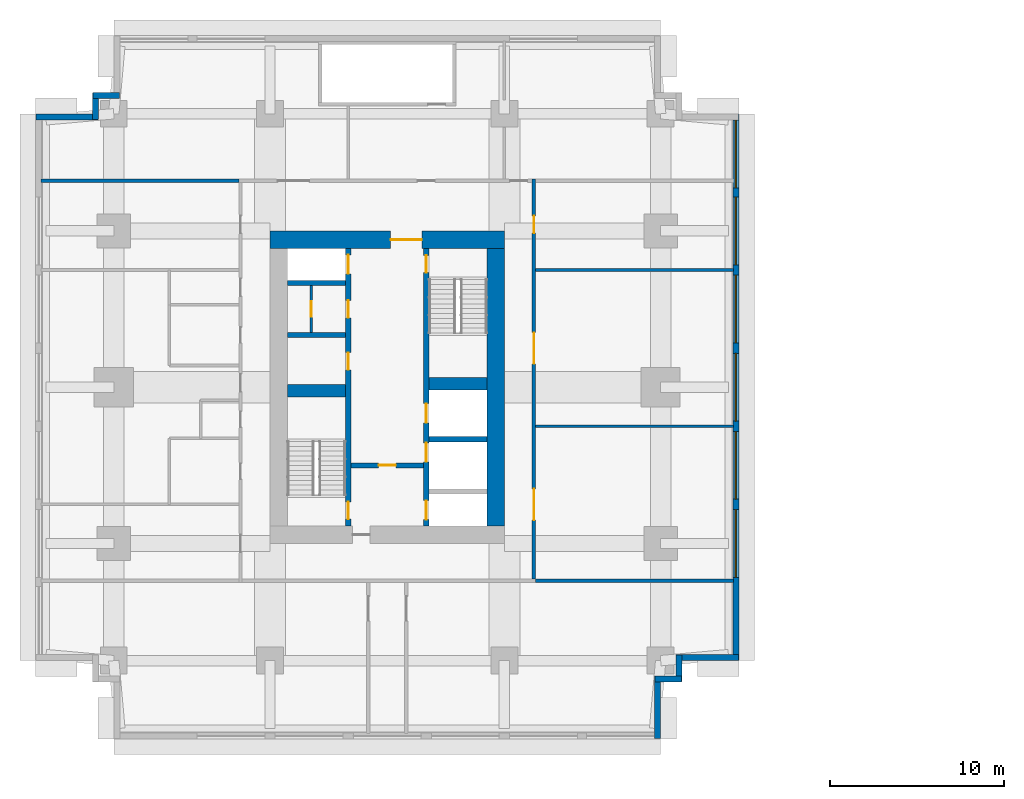
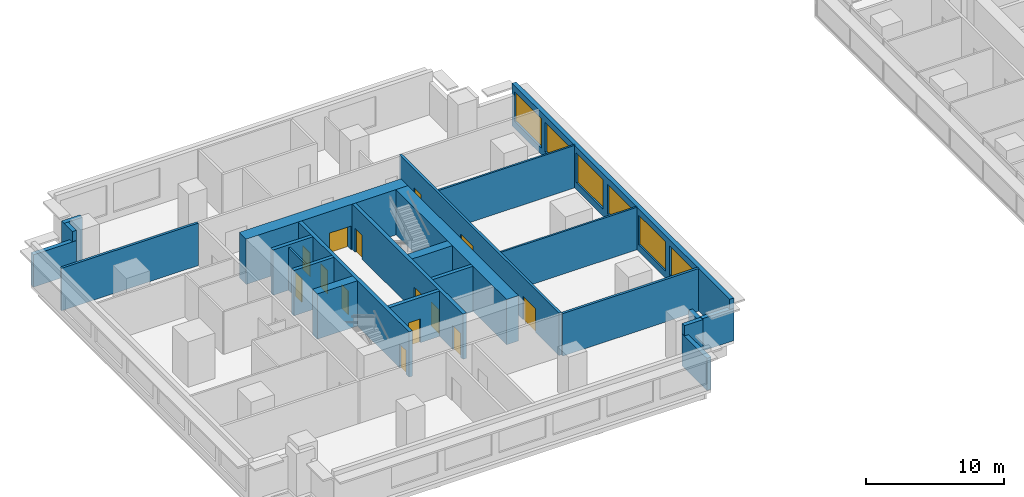
# One storey, part 8 of 14: 24 walls, 14 doors, 6 windows, 20 openings.
"""IFC4 building model written with IfcOpenShell, lengths in metres."""

from ifc_helpers import new_model, si_unit, direction, frame, frame_2d, origin, place, context, subcontext, project, spatial, rectangle, extrude, material, layer, layer_set, type_object, element, fill, save


model = new_model("IFC4")

# Units and contexts
model_context = context("Model", 3, precision=1e-05, world=origin(), true_north=direction((0.0, 1.0)))
body_context = subcontext(model_context, "Body", "Model", "MODEL_VIEW")
ifc_project = project(units=[si_unit("LENGTHUNIT", "METRE"), si_unit("AREAUNIT", "SQUARE_METRE"), si_unit("VOLUMEUNIT", "CUBIC_METRE"), si_unit("PLANEANGLEUNIT", "RADIAN"), si_unit("MASSUNIT", "GRAM", prefix="KILO")], contexts=[model_context])

# Site, building, storey
site_placement = place(None, origin())
site = spatial("IfcSite", under=ifc_project, at=site_placement, CompositionType="ELEMENT")
building_placement = place(site_placement, origin())
building = spatial("IfcBuilding", under=site, at=building_placement, Name="Namib Vertical Campus", CompositionType="ELEMENT")
storey_placement = place(building_placement, frame((0.0, 0.0, 233.0)))
storey = spatial("IfcBuildingStorey", under=building, at=storey_placement, Name="L55", CompositionType="ELEMENT", Elevation=233.0)

# Wall, openings, doors
ifc_material_1 = material(Name="Concrete C60/75", Category="concrete")
ifc_layer_1 = layer(ifc_material_1, 0.300048828125)
ifc_layer_set_1 = layer_set([ifc_layer_1], Name="Concrete C60/75")
wall_type_1 = type_object("IfcWallType", Name="Core inner wall 300", PredefinedType="SHEAR", material=ifc_layer_set_1)
wall_1_placement = place(storey_placement, frame((18.0, 12.25, 0.0), z_axis=(0.0, 0.0, 1.0), x_axis=(0.0, 1.0, 0.0)))
wall_1 = element("IfcWall", 1, at=wall_1_placement, inside=storey, type_object=wall_type_1, Name="Core inner wall A L55 W1", PredefinedType="SHEAR", context=body_context, shape_type="SweptSolid", body=[
    extrude(rectangle(XDim=16.0, YDim=0.300048828125, at=frame_2d((8.0, 0.0))), origin(), (0.0, 0.0, 1.0), 4.0),
])
opening_1_placement = place(wall_1_placement, frame((0.39990234375, 0.0, 0.0)))
opening_1 = element("IfcOpeningElement", 2, at=opening_1_placement, cuts=wall_1, Name="Opening FD1", PredefinedType="OPENING", context=body_context, shape_type="SweptSolid", body=[
    extrude(rectangle(XDim=1.0, YDim=2.10009765625, at=frame_2d((0.5, 1.050048828125))), frame((0.0, 0.159912109375, 0.0), z_axis=(0.0, -1.0, 0.0), x_axis=(1.0, 0.0, 0.0)), (0.0, 0.0, 1.0), 0.320068359375),
])
opening_2_placement = place(wall_1_placement, frame((14.52490234375, 0.0, 0.0)))
opening_2 = element("IfcOpeningElement", 3, at=opening_2_placement, cuts=wall_1, Name="Opening LD1", PredefinedType="OPENING", context=body_context, shape_type="SweptSolid", body=[
    extrude(rectangle(XDim=1.10009765625, YDim=2.10009765625, at=frame_2d((0.550048828125, 1.050048828125))), frame((0.0, 0.159912109375, 0.0), z_axis=(0.0, -1.0, 0.0), x_axis=(1.0, 0.0, 0.0)), (0.0, 0.0, 1.0), 0.320068359375),
])
opening_3_placement = place(wall_1_placement, frame((9.0, 0.0, 0.0)))
opening_3 = element("IfcOpeningElement", 4, at=opening_3_placement, cuts=wall_1, Name="Opening D1", PredefinedType="OPENING", context=body_context, shape_type="SweptSolid", body=[
    extrude(rectangle(XDim=1.0, YDim=2.10009765625, at=frame_2d((0.5, 1.050048828125))), frame((0.0, 0.159912109375, 0.0), z_axis=(0.0, -1.0, 0.0), x_axis=(1.0, 0.0, 0.0)), (0.0, 0.0, 1.0), 0.320068359375),
])
opening_4_placement = place(wall_1_placement, frame((12.0, 0.0, 0.0)))
opening_4 = element("IfcOpeningElement", 5, at=opening_4_placement, cuts=wall_1, Name="Opening D1", PredefinedType="OPENING", context=body_context, shape_type="SweptSolid", body=[
    extrude(rectangle(XDim=1.0, YDim=2.10009765625, at=frame_2d((0.5, 1.050048828125))), frame((0.0, 0.159912109375, 0.0), z_axis=(0.0, -1.0, 0.0), x_axis=(1.0, 0.0, 0.0)), (0.0, 0.0, 1.0), 0.320068359375),
])
ifc_material_2 = material(Name="Timber door leaf", Category="wood")
door_type_1 = type_object("IfcDoorType", Name="Door single 1000x2100", OperationType="SINGLE_SWING_LEFT", PredefinedType="DOOR", material=ifc_material_2)
door_1_placement = place(opening_3_placement, origin())
door_1 = element("IfcDoor", 6, at=door_1_placement, inside=storey, type_object=door_type_1, Name="Door D1 Staff pantry A L55 P1", OperationType="SINGLE_SWING_LEFT", OverallHeight=2.10009765625, OverallWidth=1.0, PredefinedType="DOOR", context=body_context, shape_type="SweptSolid", body=[
    extrude(rectangle(XDim=1.0, YDim=2.10009765625, at=frame_2d((0.5, 1.050048828125))), frame((0.0, 0.02490234375, 0.0), z_axis=(0.0, -1.0, 0.0), x_axis=(1.0, 0.0, 0.0)), (0.0, 0.0, 1.0), 0.050048828125),
])
fill(opening_3, door_1)
door_2_placement = place(opening_4_placement, origin())
door_2 = element("IfcDoor", 7, at=door_2_placement, inside=storey, type_object=door_type_1, Name="Door D1 Records store A L55 P2", OperationType="SINGLE_SWING_LEFT", OverallHeight=2.10009765625, OverallWidth=1.0, PredefinedType="DOOR", context=body_context, shape_type="SweptSolid", body=[
    extrude(rectangle(XDim=1.0, YDim=2.10009765625, at=frame_2d((0.5, 1.050048828125))), frame((0.0, 0.02490234375, 0.0), z_axis=(0.0, -1.0, 0.0), x_axis=(1.0, 0.0, 0.0)), (0.0, 0.0, 1.0), 0.050048828125),
])
fill(opening_4, door_2)
ifc_material_3 = material(Name="Steel fire door", Category="steel")
door_type_2 = type_object("IfcDoorType", Name="Fire door 1000x2100", OperationType="SINGLE_SWING_RIGHT", PredefinedType="DOOR", material=ifc_material_3)
door_3_placement = place(opening_1_placement, origin())
door_3 = element("IfcDoor", 8, at=door_3_placement, inside=storey, type_object=door_type_2, Name="Stair door FD1 A L55 S1", OperationType="SINGLE_SWING_LEFT", OverallHeight=2.10009765625, OverallWidth=1.0, PredefinedType="DOOR", context=body_context, shape_type="SweptSolid", body=[
    extrude(rectangle(XDim=1.0, YDim=2.10009765625, at=frame_2d((0.5, 1.050048828125))), frame((0.0, 0.02490234375, 0.0), z_axis=(0.0, -1.0, 0.0), x_axis=(1.0, 0.0, 0.0)), (0.0, 0.0, 1.0), 0.050048828125),
])
fill(opening_1, door_3)
ifc_material_4 = material(Name="Stainless steel lift door", Category="steel")
door_type_3 = type_object("IfcDoorType", Name="Lift landing door 1100x2100", OperationType="DOUBLE_DOOR_SLIDING", PredefinedType="DOOR", material=ifc_material_4)
door_4_placement = place(opening_2_placement, origin())
door_4 = element("IfcDoor", 9, at=door_4_placement, inside=storey, type_object=door_type_3, Name="Lift landing door LD1 A-P3 L55", OperationType="DOUBLE_DOOR_SLIDING", OverallHeight=2.10009765625, OverallWidth=1.10009765625, PredefinedType="DOOR", context=body_context, shape_type="SweptSolid", body=[
    extrude(rectangle(XDim=1.10009765625, YDim=2.10009765625, at=frame_2d((0.550048828125, 1.050048828125))), frame((0.0, 0.02490234375, 0.0), z_axis=(0.0, -1.0, 0.0), x_axis=(1.0, 0.0, 0.0)), (0.0, 0.0, 1.0), 0.050048828125),
])
fill(opening_2, door_4)

wall_2_placement = place(storey_placement, frame((22.5, 12.25, 0.0), z_axis=(0.0, 0.0, 1.0), x_axis=(0.0, 1.0, 0.0)))
wall_2 = element("IfcWall", 10, at=wall_2_placement, inside=storey, type_object=wall_type_1, Name="Core inner wall A L55 W2", PredefinedType="SHEAR", context=body_context, shape_type="SweptSolid", body=[
    extrude(rectangle(XDim=16.0, YDim=0.300048828125, at=frame_2d((8.0, 0.0))), origin(), (0.0, 0.0, 1.0), 4.0),
])
opening_5_placement = place(wall_2_placement, frame((14.60009765625, 0.0, 0.0)))
opening_5 = element("IfcOpeningElement", 11, at=opening_5_placement, cuts=wall_2, Name="Opening FD1", PredefinedType="OPENING", context=body_context, shape_type="SweptSolid", body=[
    extrude(rectangle(XDim=1.0, YDim=2.10009765625, at=frame_2d((0.5, 1.050048828125))), frame((0.0, 0.159912109375, 0.0), z_axis=(0.0, -1.0, 0.0), x_axis=(1.0, 0.0, 0.0)), (0.0, 0.0, 1.0), 0.320068359375),
])
opening_6_placement = place(wall_2_placement, frame((0.375, 0.0, 0.0)))
opening_6 = element("IfcOpeningElement", 12, at=opening_6_placement, cuts=wall_2, Name="Opening LD1", PredefinedType="OPENING", context=body_context, shape_type="SweptSolid", body=[
    extrude(rectangle(XDim=1.10009765625, YDim=2.10009765625, at=frame_2d((0.550048828125, 1.050048828125))), frame((0.0, 0.159912109375, 0.0), z_axis=(0.0, -1.0, 0.0), x_axis=(1.0, 0.0, 0.0)), (0.0, 0.0, 1.0), 0.320068359375),
])
opening_7_placement = place(wall_2_placement, frame((3.699951171875, 0.0, 0.0)))
opening_7 = element("IfcOpeningElement", 13, at=opening_7_placement, cuts=wall_2, Name="Opening LD1", PredefinedType="OPENING", context=body_context, shape_type="SweptSolid", body=[
    extrude(rectangle(XDim=1.10009765625, YDim=2.10009765625, at=frame_2d((0.550048828125, 1.050048828125))), frame((0.0, 0.159912109375, 0.0), z_axis=(0.0, -1.0, 0.0), x_axis=(1.0, 0.0, 0.0)), (0.0, 0.0, 1.0), 0.320068359375),
])
opening_8_placement = place(wall_2_placement, frame((5.949951171875, 0.0, 0.0)))
opening_8 = element("IfcOpeningElement", 14, at=opening_8_placement, cuts=wall_2, Name="Opening LD1", PredefinedType="OPENING", context=body_context, shape_type="SweptSolid", body=[
    extrude(rectangle(XDim=1.10009765625, YDim=2.10009765625, at=frame_2d((0.550048828125, 1.050048828125))), frame((0.0, 0.159912109375, 0.0), z_axis=(0.0, -1.0, 0.0), x_axis=(1.0, 0.0, 0.0)), (0.0, 0.0, 1.0), 0.320068359375),
])
door_5_placement = place(opening_5_placement, frame((1.0, 0.0, 0.0), z_axis=(0.0, 0.0, 1.0), x_axis=(-1.0, 0.0, 0.0)))
door_5 = element("IfcDoor", 15, at=door_5_placement, inside=storey, type_object=door_type_2, Name="Stair door FD1 A L55 S2", OperationType="SINGLE_SWING_LEFT", OverallHeight=2.10009765625, OverallWidth=1.0, PredefinedType="DOOR", context=body_context, shape_type="SweptSolid", body=[
    extrude(rectangle(XDim=1.0, YDim=2.10009765625, at=frame_2d((0.5, 1.050048828125))), frame((0.0, 0.02490234375, 0.0), z_axis=(0.0, -1.0, 0.0), x_axis=(1.0, 0.0, 0.0)), (0.0, 0.0, 1.0), 0.050048828125),
])
fill(opening_5, door_5)
door_6_placement = place(opening_6_placement, origin())
door_6 = element("IfcDoor", 16, at=door_6_placement, inside=storey, type_object=door_type_3, Name="Lift landing door LD1 A-FL1 L55", OperationType="DOUBLE_DOOR_SLIDING", OverallHeight=2.10009765625, OverallWidth=1.10009765625, PredefinedType="DOOR", context=body_context, shape_type="SweptSolid", body=[
    extrude(rectangle(XDim=1.10009765625, YDim=2.10009765625, at=frame_2d((0.550048828125, 1.050048828125))), frame((0.0, 0.02490234375, 0.0), z_axis=(0.0, -1.0, 0.0), x_axis=(1.0, 0.0, 0.0)), (0.0, 0.0, 1.0), 0.050048828125),
])
fill(opening_6, door_6)
door_7_placement = place(opening_7_placement, origin())
door_7 = element("IfcDoor", 17, at=door_7_placement, inside=storey, type_object=door_type_3, Name="Lift landing door LD1 A-P4 L55", OperationType="DOUBLE_DOOR_SLIDING", OverallHeight=2.10009765625, OverallWidth=1.10009765625, PredefinedType="DOOR", context=body_context, shape_type="SweptSolid", body=[
    extrude(rectangle(XDim=1.10009765625, YDim=2.10009765625, at=frame_2d((0.550048828125, 1.050048828125))), frame((0.0, 0.02490234375, 0.0), z_axis=(0.0, -1.0, 0.0), x_axis=(1.0, 0.0, 0.0)), (0.0, 0.0, 1.0), 0.050048828125),
])
fill(opening_7, door_7)
door_8_placement = place(opening_8_placement, origin())
door_8 = element("IfcDoor", 18, at=door_8_placement, inside=storey, type_object=door_type_3, Name="Lift landing door LD1 A-P5 L55", OperationType="DOUBLE_DOOR_SLIDING", OverallHeight=2.10009765625, OverallWidth=1.10009765625, PredefinedType="DOOR", context=body_context, shape_type="SweptSolid", body=[
    extrude(rectangle(XDim=1.10009765625, YDim=2.10009765625, at=frame_2d((0.550048828125, 1.050048828125))), frame((0.0, 0.02490234375, 0.0), z_axis=(0.0, -1.0, 0.0), x_axis=(1.0, 0.0, 0.0)), (0.0, 0.0, 1.0), 0.050048828125),
])
fill(opening_8, door_8)

# Wall, opening, door
wall_3_placement = place(storey_placement, frame((18.14990234375, 15.75, 0.0), z_axis=(0.0, 0.0, 1.0), x_axis=(1.0, 0.0, 0.0)))
wall_3 = element("IfcWall", 19, at=wall_3_placement, inside=storey, type_object=wall_type_1, Name="Core inner wall A L55 W4", PredefinedType="SHEAR", context=body_context, shape_type="SweptSolid", body=[
    extrude(rectangle(XDim=4.2001953125, YDim=0.300048828125, at=frame_2d((2.10009765625, 0.0))), origin(), (0.0, 0.0, 1.0), 4.0),
])
opening_9_placement = place(wall_3_placement, frame((1.60009765625, 0.0, 0.0)))
opening_9 = element("IfcOpeningElement", 20, at=opening_9_placement, cuts=wall_3, Name="Opening FD5", PredefinedType="OPENING", context=body_context, shape_type="SweptSolid", body=[
    extrude(rectangle(XDim=1.0, YDim=2.10009765625, at=frame_2d((0.5, 1.050048828125))), frame((0.0, 0.159912109375, 0.0), z_axis=(0.0, -1.0, 0.0), x_axis=(1.0, 0.0, 0.0)), (0.0, 0.0, 1.0), 0.320068359375),
])
ifc_material_5 = material(Name="Steel fire door", Category="steel")
door_type_4 = type_object("IfcDoorType", Name="Fire door 1000x2100 120 min", OperationType="SINGLE_SWING_RIGHT", PredefinedType="DOOR", material=ifc_material_5)
door_9_placement = place(opening_9_placement, frame((1.0, 0.0, 0.0), z_axis=(0.0, 0.0, 1.0), x_axis=(-1.0, 0.0, 0.0)))
door_9 = element("IfcDoor", 21, at=door_9_placement, inside=storey, type_object=door_type_4, Name="Lobby door FD5 A L55", OperationType="SINGLE_SWING_RIGHT", OverallHeight=2.10009765625, OverallWidth=1.0, PredefinedType="DOOR", context=body_context, shape_type="SweptSolid", body=[
    extrude(rectangle(XDim=1.0, YDim=2.10009765625, at=frame_2d((0.5, 1.050048828125))), frame((0.0, 0.02490234375, 0.0), z_axis=(0.0, -1.0, 0.0), x_axis=(1.0, 0.0, 0.0)), (0.0, 0.0, 1.0), 0.050048828125),
])
fill(opening_9, door_9)

# Walls
for number, where, z_axis, x_axis, name in (
    (22, (22.64990234375, 17.25, 0.0), (0.0, 0.0, 1.0), (1.0, 0.0, 0.0), "Core inner wall A L55 W6"),
    (23, (14.5, 23.25, 0.0), (0.0, 0.0, 1.0), (1.0, 0.0, 0.0), "Core inner wall A L55 W8"),
    (24, (14.5, 26.25, 0.0), (0.0, 0.0, 1.0), (1.0, 0.0, 0.0), "Core inner wall A L55 W9"),
):
    element("IfcWall", number, at=place(storey_placement, frame(where, z_axis=z_axis, x_axis=x_axis)), inside=storey, type_object=wall_type_1, Name=name, PredefinedType="SHEAR", context=body_context, shape_type="SweptSolid", body=[
        extrude(rectangle(XDim=3.35009765625, YDim=0.300048828125, at=frame_2d((1.675048828125, 0.0))), origin(), (0.0, 0.0, 1.0), 4.0),
    ])
ifc_material_6 = material(Name="Concrete C60/75", Category="concrete")
ifc_layer_2 = layer(ifc_material_6, 0.699951171875)
ifc_layer_set_2 = layer_set([ifc_layer_2], Name="Concrete C60/75")
wall_type_2 = type_object("IfcWallType", Name="Core shear wall 700", PredefinedType="SHEAR", material=ifc_layer_set_2)
for number, where, z_axis, x_axis, name in (
    (25, (14.5, 20.050048828125, 0.0), (0.0, 0.0, 1.0), (1.0, 0.0, 0.0), "Core shear wall A L55 W3"),
    (26, (22.64990234375, 20.449951171875, 0.0), (0.0, 0.0, 1.0), (1.0, 0.0, 0.0), "Core shear wall A L55 W7"),
):
    element("IfcWall", number, at=place(storey_placement, frame(where, z_axis=z_axis, x_axis=x_axis)), inside=storey, type_object=wall_type_2, Name=name, PredefinedType="SHEAR", context=body_context, shape_type="SweptSolid", body=[
        extrude(rectangle(XDim=3.35009765625, YDim=0.699951171875, at=frame_2d((1.675048828125, 0.0))), origin(), (0.0, 0.0, 1.0), 4.0),
    ])
ifc_material_7 = material(Name="Concrete C60/75", Category="concrete")
ifc_layer_3 = layer(ifc_material_7, 1.0)
ifc_layer_set_3 = layer_set([ifc_layer_3], Name="Concrete C60/75")
wall_type_3 = type_object("IfcWallType", Name="Core wall 1000", PredefinedType="SHEAR", material=ifc_layer_set_3)
wall_4_placement = place(storey_placement, frame((26.5, 12.25, 0.0), z_axis=(0.0, 0.0, 1.0), x_axis=(0.0, 1.0, 0.0)))
element("IfcWall", 27, at=wall_4_placement, inside=storey, type_object=wall_type_3, Name="Core wall A L55 2", PredefinedType="SHEAR", context=body_context, shape_type="SweptSolid", body=[
    extrude(rectangle(XDim=16.0, YDim=1.0, at=frame_2d((8.0, 0.0))), origin(), (0.0, 0.0, 1.0), 4.0),
])

# Wall, opening, door
wall_5_placement = place(storey_placement, frame((27.0, 28.75, 0.0), z_axis=(0.0, 0.0, 1.0), x_axis=(-1.0, 0.0, 0.0)))
wall_5 = element("IfcWall", 28, at=wall_5_placement, inside=storey, type_object=wall_type_3, Name="Core wall A L55 3", PredefinedType="SHEAR", context=body_context, shape_type="SweptSolid", body=[
    extrude(rectangle(XDim=13.5, YDim=1.0, at=frame_2d((6.75, 0.0))), origin(), (0.0, 0.0, 1.0), 4.0),
])
opening_10_placement = place(wall_5_placement, frame((4.75, 0.0, 0.0)))
opening_10 = element("IfcOpeningElement", 29, at=opening_10_placement, cuts=wall_5, Name="Opening FD2", PredefinedType="OPENING", context=body_context, shape_type="SweptSolid", body=[
    extrude(rectangle(XDim=1.800048828125, YDim=2.10009765625, at=frame_2d((0.89990234375, 1.050048828125))), frame((0.0, 0.510009765625, 0.0), z_axis=(0.0, -1.0, 0.0), x_axis=(1.0, 0.0, 0.0)), (0.0, 0.0, 1.0), 1.02001953125),
])
ifc_material_8 = material(Name="Steel fire door", Category="steel")
door_type_5 = type_object("IfcDoorType", Name="Fire door double 1800x2100", OperationType="DOUBLE_DOOR_SINGLE_SWING", PredefinedType="DOOR", material=ifc_material_8)
door_10_placement = place(opening_10_placement, origin())
door_10 = element("IfcDoor", 30, at=door_10_placement, inside=storey, type_object=door_type_5, Name="Lift lobby door FD2 A L55", OperationType="DOUBLE_DOOR_SINGLE_SWING", OverallHeight=2.10009765625, OverallWidth=1.800048828125, PredefinedType="DOOR", context=body_context, shape_type="SweptSolid", body=[
    extrude(rectangle(XDim=1.800048828125, YDim=2.10009765625, at=frame_2d((0.89990234375, 1.050048828125))), frame((0.0, 0.02490234375, 0.0), z_axis=(0.0, -1.0, 0.0), x_axis=(1.0, 0.0, 0.0)), (0.0, 0.0, 1.0), 0.050048828125),
])
fill(opening_10, door_10)

# Wall, openings, doors
ifc_material_9 = material(Name="Concrete masonry", Category="masonry")
ifc_layer_4 = layer(ifc_material_9, 0.199951171875)
ifc_layer_set_4 = layer_set([ifc_layer_4], Name="Corridor wall 200")
wall_type_4 = type_object("IfcWallType", Name="Corridor wall 200", PredefinedType="SOLIDWALL", material=ifc_layer_set_4)
wall_6_placement = place(storey_placement, frame((28.699951171875, 9.199951171875, 0.0), z_axis=(0.0, 0.0, 1.0), x_axis=(0.0, 1.0, 0.0)))
wall_6 = element("IfcWall", 31, at=wall_6_placement, inside=storey, type_object=wall_type_4, Name="Corridor wall A L55 CE", PredefinedType="SOLIDWALL", context=body_context, shape_type="SweptSolid", body=[
    extrude(rectangle(XDim=23.050048828125, YDim=0.199951171875, at=frame_2d((11.52490234375, 0.0))), origin(), (0.0, 0.0, 1.0), 3.75),
])
opening_11_placement = place(wall_6_placement, frame((3.39990234375, 0.0, 0.0)))
opening_11 = element("IfcOpeningElement", 32, at=opening_11_placement, cuts=wall_6, Name="Opening CD2", PredefinedType="OPENING", context=body_context, shape_type="SweptSolid", body=[
    extrude(rectangle(XDim=1.800048828125, YDim=2.10009765625, at=frame_2d((0.89990234375, 1.050048828125))), frame((0.0, 0.10986328125, 0.0), z_axis=(0.0, -1.0, 0.0), x_axis=(1.0, 0.0, 0.0)), (0.0, 0.0, 1.0), 0.219970703125),
])
opening_12_placement = place(wall_6_placement, frame((12.39990234375, 0.0, 0.0)))
opening_12 = element("IfcOpeningElement", 33, at=opening_12_placement, cuts=wall_6, Name="Opening CD2", PredefinedType="OPENING", context=body_context, shape_type="SweptSolid", body=[
    extrude(rectangle(XDim=1.800048828125, YDim=2.10009765625, at=frame_2d((0.89990234375, 1.050048828125))), frame((0.0, 0.10986328125, 0.0), z_axis=(0.0, -1.0, 0.0), x_axis=(1.0, 0.0, 0.0)), (0.0, 0.0, 1.0), 0.219970703125),
])
opening_13_placement = place(wall_6_placement, frame((19.925048828125, 0.0, 0.0)))
opening_13 = element("IfcOpeningElement", 34, at=opening_13_placement, cuts=wall_6, Name="Opening CD1", PredefinedType="OPENING", context=body_context, shape_type="SweptSolid", body=[
    extrude(rectangle(XDim=1.0, YDim=2.10009765625, at=frame_2d((0.5, 1.050048828125))), frame((0.0, 0.10986328125, 0.0), z_axis=(0.0, -1.0, 0.0), x_axis=(1.0, 0.0, 0.0)), (0.0, 0.0, 1.0), 0.219970703125),
])
ifc_material_10 = material(Name="Timber fire door leaf", Category="wood")
door_type_6 = type_object("IfcDoorType", Name="Corridor door 1000x2100 20 min", OperationType="SINGLE_SWING_LEFT", PredefinedType="DOOR", material=ifc_material_10)
door_11_placement = place(opening_13_placement, frame((1.0, 0.0, 0.0), z_axis=(0.0, 0.0, 1.0), x_axis=(-1.0, 0.0, 0.0)))
door_11 = element("IfcDoor", 35, at=door_11_placement, inside=storey, type_object=door_type_6, Name="Door CD1 A55-05", OperationType="SINGLE_SWING_RIGHT", OverallHeight=2.10009765625, OverallWidth=1.0, PredefinedType="DOOR", context=body_context, shape_type="SweptSolid", body=[
    extrude(rectangle(XDim=1.0, YDim=2.10009765625, at=frame_2d((0.5, 1.050048828125))), frame((0.0, 0.02490234375, 0.0), z_axis=(0.0, -1.0, 0.0), x_axis=(1.0, 0.0, 0.0)), (0.0, 0.0, 1.0), 0.050048828125),
])
fill(opening_13, door_11)
ifc_material_11 = material(Name="Timber fire door leaf", Category="wood")
door_type_7 = type_object("IfcDoorType", Name="Corridor door double 1800x2100 20 min", OperationType="DOUBLE_DOOR_SINGLE_SWING", PredefinedType="DOOR", material=ifc_material_11)
door_12_placement = place(opening_11_placement, frame((1.800048828125, 0.0, 0.0), z_axis=(0.0, 0.0, 1.0), x_axis=(-1.0, 0.0, 0.0)))
door_12 = element("IfcDoor", 36, at=door_12_placement, inside=storey, type_object=door_type_7, Name="Door CD2 A55-03", OperationType="DOUBLE_DOOR_SINGLE_SWING", OverallHeight=2.10009765625, OverallWidth=1.800048828125, PredefinedType="DOOR", context=body_context, shape_type="SweptSolid", body=[
    extrude(rectangle(XDim=1.800048828125, YDim=2.10009765625, at=frame_2d((0.89990234375, 1.050048828125))), frame((0.0, 0.02490234375, 0.0), z_axis=(0.0, -1.0, 0.0), x_axis=(1.0, 0.0, 0.0)), (0.0, 0.0, 1.0), 0.050048828125),
])
fill(opening_11, door_12)
door_13_placement = place(opening_12_placement, frame((1.800048828125, 0.0, 0.0), z_axis=(0.0, 0.0, 1.0), x_axis=(-1.0, 0.0, 0.0)))
door_13 = element("IfcDoor", 37, at=door_13_placement, inside=storey, type_object=door_type_7, Name="Door CD2 A55-04", OperationType="DOUBLE_DOOR_SINGLE_SWING", OverallHeight=2.10009765625, OverallWidth=1.800048828125, PredefinedType="DOOR", context=body_context, shape_type="SweptSolid", body=[
    extrude(rectangle(XDim=1.800048828125, YDim=2.10009765625, at=frame_2d((0.89990234375, 1.050048828125))), frame((0.0, 0.02490234375, 0.0), z_axis=(0.0, -1.0, 0.0), x_axis=(1.0, 0.0, 0.0)), (0.0, 0.0, 1.0), 0.050048828125),
])
fill(opening_12, door_13)

# Walls
for number, where, z_axis, x_axis, name in (
    (38, (28.800048828125, 9.10009765625, 0.0), (0.0, 0.0, 1.0), (1.0, 0.0, 0.0), "Partition A L55 BSE"),
    (39, (0.300048828125, 32.14990234375, 0.0), (0.0, 0.0, 1.0), (1.0, 0.0, 0.0), "Partition A L55 BNW"),
):
    element("IfcWall", number, at=place(storey_placement, frame(where, z_axis=z_axis, x_axis=x_axis)), inside=storey, type_object=wall_type_4, Name=name, PredefinedType="SOLIDWALL", context=body_context, shape_type="SweptSolid", body=[
        extrude(rectangle(XDim=11.39990234375, YDim=0.199951171875, at=frame_2d((5.699951171875, 0.0))), origin(), (0.0, 0.0, 1.0), 3.75),
    ])
ifc_material_12 = material(Name="Concrete C40/50", Category="concrete")
ifc_layer_5 = layer(ifc_material_12, 0.35009765625)
ifc_layer_set_5 = layer_set([ifc_layer_5], Name="Concrete C40/50")
wall_type_5 = type_object("IfcWallType", Name="External wall 350 bush-hammered concrete", PredefinedType="STANDARD", material=ifc_layer_set_5)
wall_7_placement = place(storey_placement, frame((35.824951171875, 0.02001953125, 0.0), z_axis=(0.0, 0.0, 1.0), x_axis=(0.0, 1.0, 0.0)))
element("IfcWall", 40, at=wall_7_placement, inside=storey, type_object=wall_type_5, Name="External wall L55 F02", PredefinedType="STANDARD", context=body_context, shape_type="SweptSolid", body=[
    extrude(rectangle(XDim=3.5849609375, YDim=0.35009765625, at=frame_2d((1.79248046875, 0.0))), origin(), (0.0, 0.0, 1.0), 2.85009765625),
])
for number, where, z_axis, x_axis, name in (
    (41, (35.669921875, 3.449951171875, 0.0), (0.0, 0.0, 1.0), (1.0, 0.0, 0.0), "External wall L55 F03"),
    (42, (37.050048828125, 3.294921875, 0.0), (0.0, 0.0, 1.0), (0.0, 1.0, 0.0), "External wall L55 F04"),
):
    element("IfcWall", number, at=place(storey_placement, frame(where, z_axis=z_axis, x_axis=x_axis)), inside=storey, type_object=wall_type_5, Name=name, PredefinedType="STANDARD", context=body_context, shape_type="SweptSolid", body=[
        extrude(rectangle(XDim=1.53515625, YDim=0.35009765625, at=frame_2d((0.767578125, 0.0))), origin(), (0.0, 0.0, 1.0), 3.75),
    ])
wall_8_placement = place(storey_placement, frame((36.89501953125, 4.675048828125, 0.0), z_axis=(0.0, 0.0, 1.0), x_axis=(1.0, 0.0, 0.0)))
element("IfcWall", 43, at=wall_8_placement, inside=storey, type_object=wall_type_5, Name="External wall L55 F05", PredefinedType="STANDARD", context=body_context, shape_type="SweptSolid", body=[
    extrude(rectangle(XDim=3.5849609375, YDim=0.35009765625, at=frame_2d((1.79248046875, 0.0))), origin(), (0.0, 0.0, 1.0), 2.85009765625),
])

# Wall, openings, windows
wall_9_placement = place(storey_placement, frame((40.324951171875, 4.52001953125, 0.0), z_axis=(0.0, 0.0, 1.0), x_axis=(0.0, 1.0, 0.0)))
wall_9 = element("IfcWall", 44, at=wall_9_placement, inside=storey, type_object=wall_type_5, Name="External wall L55 F06", PredefinedType="STANDARD", context=body_context, shape_type="SweptSolid", body=[
    extrude(rectangle(XDim=31.4599609375, YDim=0.35009765625, at=frame_2d((15.72998046875, 0.0))), origin(), (0.0, 0.0, 1.0), 3.75),
])
opening_14_placement = place(wall_9_placement, frame((4.780029296875, 0.0, 0.60009765625)))
opening_14 = element("IfcOpeningElement", 45, at=opening_14_placement, cuts=wall_9, Name="Opening W2", PredefinedType="OPENING", context=body_context, shape_type="SweptSolid", body=[
    extrude(rectangle(XDim=3.89990234375, YDim=2.60009765625, at=frame_2d((1.949951171875, 1.300048828125))), frame((0.0, 0.18505859375, 0.0), z_axis=(0.0, -1.0, 0.0), x_axis=(1.0, 0.0, 0.0)), (0.0, 0.0, 1.0), 0.3701171875),
])
opening_15_placement = place(wall_9_placement, frame((9.280029296875, 0.0, 0.60009765625)))
opening_15 = element("IfcOpeningElement", 46, at=opening_15_placement, cuts=wall_9, Name="Opening W2", PredefinedType="OPENING", context=body_context, shape_type="SweptSolid", body=[
    extrude(rectangle(XDim=3.89990234375, YDim=2.60009765625, at=frame_2d((1.949951171875, 1.300048828125))), frame((0.0, 0.18505859375, 0.0), z_axis=(0.0, -1.0, 0.0), x_axis=(1.0, 0.0, 0.0)), (0.0, 0.0, 1.0), 0.3701171875),
])
opening_16_placement = place(wall_9_placement, frame((13.780029296875, 0.0, 0.60009765625)))
opening_16 = element("IfcOpeningElement", 47, at=opening_16_placement, cuts=wall_9, Name="Opening W2", PredefinedType="OPENING", context=body_context, shape_type="SweptSolid", body=[
    extrude(rectangle(XDim=3.89990234375, YDim=2.60009765625, at=frame_2d((1.949951171875, 1.300048828125))), frame((0.0, 0.18505859375, 0.0), z_axis=(0.0, -1.0, 0.0), x_axis=(1.0, 0.0, 0.0)), (0.0, 0.0, 1.0), 0.3701171875),
])
opening_17_placement = place(wall_9_placement, frame((18.280029296875, 0.0, 0.60009765625)))
opening_17 = element("IfcOpeningElement", 48, at=opening_17_placement, cuts=wall_9, Name="Opening W2", PredefinedType="OPENING", context=body_context, shape_type="SweptSolid", body=[
    extrude(rectangle(XDim=3.89990234375, YDim=2.60009765625, at=frame_2d((1.949951171875, 1.300048828125))), frame((0.0, 0.18505859375, 0.0), z_axis=(0.0, -1.0, 0.0), x_axis=(1.0, 0.0, 0.0)), (0.0, 0.0, 1.0), 0.3701171875),
])
opening_18_placement = place(wall_9_placement, frame((22.780029296875, 0.0, 0.60009765625)))
opening_18 = element("IfcOpeningElement", 49, at=opening_18_placement, cuts=wall_9, Name="Opening W2", PredefinedType="OPENING", context=body_context, shape_type="SweptSolid", body=[
    extrude(rectangle(XDim=3.89990234375, YDim=2.60009765625, at=frame_2d((1.949951171875, 1.300048828125))), frame((0.0, 0.18505859375, 0.0), z_axis=(0.0, -1.0, 0.0), x_axis=(1.0, 0.0, 0.0)), (0.0, 0.0, 1.0), 0.3701171875),
])
opening_19_placement = place(wall_9_placement, frame((27.2099609375, 0.0, 0.60009765625)))
opening_19 = element("IfcOpeningElement", 50, at=opening_19_placement, cuts=wall_9, Name="Opening W2", PredefinedType="OPENING", context=body_context, shape_type="SweptSolid", body=[
    extrude(rectangle(XDim=3.89990234375, YDim=2.60009765625, at=frame_2d((1.949951171875, 1.300048828125))), frame((0.0, 0.18505859375, 0.0), z_axis=(0.0, -1.0, 0.0), x_axis=(1.0, 0.0, 0.0)), (0.0, 0.0, 1.0), 0.3701171875),
])
ifc_material_13 = material(Name="Dark tinted glass in black aluminium frame", Category="aluminium")
window_type = type_object("IfcWindowType", Name="Ribbon window 3900x2600", PartitioningType="SINGLE_PANEL", PredefinedType="WINDOW", material=ifc_material_13)
window_1_placement = place(opening_14_placement, origin())
window_1 = element("IfcWindow", 51, at=window_1_placement, inside=storey, type_object=window_type, Name="Window W2 L55 F06-2", OverallHeight=2.60009765625, OverallWidth=3.89990234375, PartitioningType="SINGLE_PANEL", PredefinedType="WINDOW", context=body_context, shape_type="SweptSolid", body=[
    extrude(rectangle(XDim=3.89990234375, YDim=2.60009765625, at=frame_2d((1.949951171875, 1.300048828125))), frame((0.0, 0.030029296875, 0.0), z_axis=(0.0, -1.0, 0.0), x_axis=(1.0, 0.0, 0.0)), (0.0, 0.0, 1.0), 0.06005859375),
])
fill(opening_14, window_1)
window_2_placement = place(opening_15_placement, origin())
window_2 = element("IfcWindow", 52, at=window_2_placement, inside=storey, type_object=window_type, Name="Window W2 L55 F06-3", OverallHeight=2.60009765625, OverallWidth=3.89990234375, PartitioningType="SINGLE_PANEL", PredefinedType="WINDOW", context=body_context, shape_type="SweptSolid", body=[
    extrude(rectangle(XDim=3.89990234375, YDim=2.60009765625, at=frame_2d((1.949951171875, 1.300048828125))), frame((0.0, 0.030029296875, 0.0), z_axis=(0.0, -1.0, 0.0), x_axis=(1.0, 0.0, 0.0)), (0.0, 0.0, 1.0), 0.06005859375),
])
fill(opening_15, window_2)
window_3_placement = place(opening_16_placement, origin())
window_3 = element("IfcWindow", 53, at=window_3_placement, inside=storey, type_object=window_type, Name="Window W2 L55 F06-4", OverallHeight=2.60009765625, OverallWidth=3.89990234375, PartitioningType="SINGLE_PANEL", PredefinedType="WINDOW", context=body_context, shape_type="SweptSolid", body=[
    extrude(rectangle(XDim=3.89990234375, YDim=2.60009765625, at=frame_2d((1.949951171875, 1.300048828125))), frame((0.0, 0.030029296875, 0.0), z_axis=(0.0, -1.0, 0.0), x_axis=(1.0, 0.0, 0.0)), (0.0, 0.0, 1.0), 0.06005859375),
])
fill(opening_16, window_3)
window_4_placement = place(opening_17_placement, origin())
window_4 = element("IfcWindow", 54, at=window_4_placement, inside=storey, type_object=window_type, Name="Window W2 L55 F06-5", OverallHeight=2.60009765625, OverallWidth=3.89990234375, PartitioningType="SINGLE_PANEL", PredefinedType="WINDOW", context=body_context, shape_type="SweptSolid", body=[
    extrude(rectangle(XDim=3.89990234375, YDim=2.60009765625, at=frame_2d((1.949951171875, 1.300048828125))), frame((0.0, 0.030029296875, 0.0), z_axis=(0.0, -1.0, 0.0), x_axis=(1.0, 0.0, 0.0)), (0.0, 0.0, 1.0), 0.06005859375),
])
fill(opening_17, window_4)
window_5_placement = place(opening_18_placement, origin())
window_5 = element("IfcWindow", 55, at=window_5_placement, inside=storey, type_object=window_type, Name="Window W2 L55 F06-6", OverallHeight=2.60009765625, OverallWidth=3.89990234375, PartitioningType="SINGLE_PANEL", PredefinedType="WINDOW", context=body_context, shape_type="SweptSolid", body=[
    extrude(rectangle(XDim=3.89990234375, YDim=2.60009765625, at=frame_2d((1.949951171875, 1.300048828125))), frame((0.0, 0.030029296875, 0.0), z_axis=(0.0, -1.0, 0.0), x_axis=(1.0, 0.0, 0.0)), (0.0, 0.0, 1.0), 0.06005859375),
])
fill(opening_18, window_5)
window_6_placement = place(opening_19_placement, origin())
window_6 = element("IfcWindow", 56, at=window_6_placement, inside=storey, type_object=window_type, Name="Window W2 L55 F06-7", OverallHeight=2.60009765625, OverallWidth=3.89990234375, PartitioningType="SINGLE_PANEL", PredefinedType="WINDOW", context=body_context, shape_type="SweptSolid", body=[
    extrude(rectangle(XDim=3.89990234375, YDim=2.60009765625, at=frame_2d((1.949951171875, 1.300048828125))), frame((0.0, 0.030029296875, 0.0), z_axis=(0.0, -1.0, 0.0), x_axis=(1.0, 0.0, 0.0)), (0.0, 0.0, 1.0), 0.06005859375),
])
fill(opening_19, window_6)

# Walls
for number, where, z_axis, x_axis, name in (
    (57, (4.830078125, 37.050048828125, 0.0), (0.0, 0.0, 1.0), (-1.0, 0.0, 0.0), "External wall L55 F13"),
    (58, (3.449951171875, 37.205078125, 0.0), (0.0, 0.0, 1.0), (0.0, -1.0, 0.0), "External wall L55 F14"),
):
    element("IfcWall", number, at=place(storey_placement, frame(where, z_axis=z_axis, x_axis=x_axis)), inside=storey, type_object=wall_type_5, Name=name, PredefinedType="STANDARD", context=body_context, shape_type="SweptSolid", body=[
        extrude(rectangle(XDim=1.53515625, YDim=0.35009765625, at=frame_2d((0.767578125, 0.0))), origin(), (0.0, 0.0, 1.0), 3.75),
    ])
wall_10_placement = place(storey_placement, frame((3.60498046875, 35.824951171875, 0.0), z_axis=(0.0, 0.0, 1.0), x_axis=(-1.0, 0.0, 0.0)))
element("IfcWall", 59, at=wall_10_placement, inside=storey, type_object=wall_type_5, Name="External wall L55 F15", PredefinedType="STANDARD", context=body_context, shape_type="SweptSolid", body=[
    extrude(rectangle(XDim=3.5849609375, YDim=0.35009765625, at=frame_2d((1.79248046875, 0.0))), origin(), (0.0, 0.0, 1.0), 2.85009765625),
])

# Wall, opening, door
ifc_material_14 = material(Name="Gypsum board on steel studs", Category="steel")
ifc_layer_6 = layer(ifc_material_14, 0.14990234375)
ifc_layer_set_6 = layer_set([ifc_layer_6], Name="Gypsum board on steel studs")
wall_type_6 = type_object("IfcWallType", Name="Partition 150", PredefinedType="PARTITIONING", material=ifc_layer_set_6)
wall_11_placement = place(storey_placement, frame((15.875, 23.39990234375, 0.0), z_axis=(0.0, 0.0, 1.0), x_axis=(0.0, 1.0, 0.0)))
wall_11 = element("IfcWall", 60, at=wall_11_placement, inside=storey, type_object=wall_type_6, Name="Partition A L55 Records store P2 back", PredefinedType="PARTITIONING", context=body_context, shape_type="SweptSolid", body=[
    extrude(rectangle(XDim=2.7001953125, YDim=0.14990234375, at=frame_2d((1.35009765625, 0.0))), origin(), (0.0, 0.0, 1.0), 3.75),
])
opening_20_placement = place(wall_11_placement, frame((0.89990234375, 0.0, 0.0)))
opening_20 = element("IfcOpeningElement", 61, at=opening_20_placement, cuts=wall_11, Name="Opening D3", PredefinedType="OPENING", context=body_context, shape_type="SweptSolid", body=[
    extrude(rectangle(XDim=0.89990234375, YDim=2.10009765625, at=frame_2d((0.449951171875, 1.050048828125))), frame((0.0, 0.0849609375, 0.0), z_axis=(0.0, -1.0, 0.0), x_axis=(1.0, 0.0, 0.0)), (0.0, 0.0, 1.0), 0.169921875),
])
ifc_material_15 = material(Name="Timber door leaf", Category="wood")
door_type_8 = type_object("IfcDoorType", Name="Toilet door 900x2100", OperationType="SINGLE_SWING_LEFT", PredefinedType="DOOR", material=ifc_material_15)
door_14_placement = place(opening_20_placement, origin())
door_14 = element("IfcDoor", 62, at=door_14_placement, inside=storey, type_object=door_type_8, Name="Door D3 Store A L55 P2", OperationType="SINGLE_SWING_LEFT", OverallHeight=2.10009765625, OverallWidth=0.89990234375, PredefinedType="DOOR", context=body_context, shape_type="SweptSolid", body=[
    extrude(rectangle(XDim=0.89990234375, YDim=2.10009765625, at=frame_2d((0.449951171875, 1.050048828125))), frame((0.0, 0.02490234375, 0.0), z_axis=(0.0, -1.0, 0.0), x_axis=(1.0, 0.0, 0.0)), (0.0, 0.0, 1.0), 0.050048828125),
])
fill(opening_20, door_14)

# Walls
for number, where, z_axis, x_axis, name in (
    (63, (28.800048828125, 18.0, 0.0), (0.0, 0.0, 1.0), (1.0, 0.0, 0.0), "Partition A L55 PE1"),
    (64, (28.800048828125, 27.0, 0.0), (0.0, 0.0, 1.0), (1.0, 0.0, 0.0), "Partition A L55 PE2"),
):
    element("IfcWall", number, at=place(storey_placement, frame(where, z_axis=z_axis, x_axis=x_axis)), inside=storey, type_object=wall_type_6, Name=name, PredefinedType="PARTITIONING", context=body_context, shape_type="SweptSolid", body=[
        extrude(rectangle(XDim=11.39990234375, YDim=0.14990234375, at=frame_2d((5.699951171875, 0.0))), origin(), (0.0, 0.0, 1.0), 3.75),
    ])

save(model, "model.ifc")
